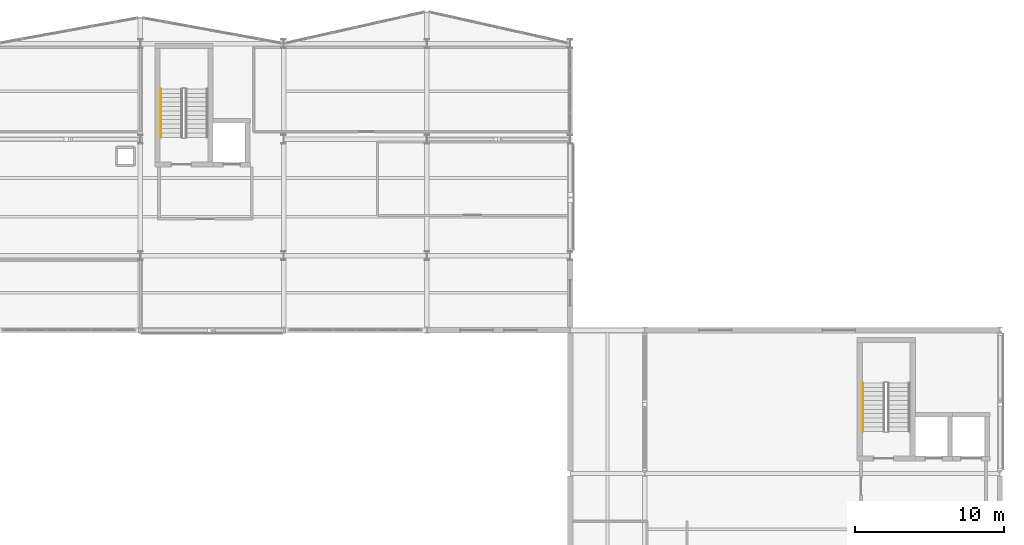
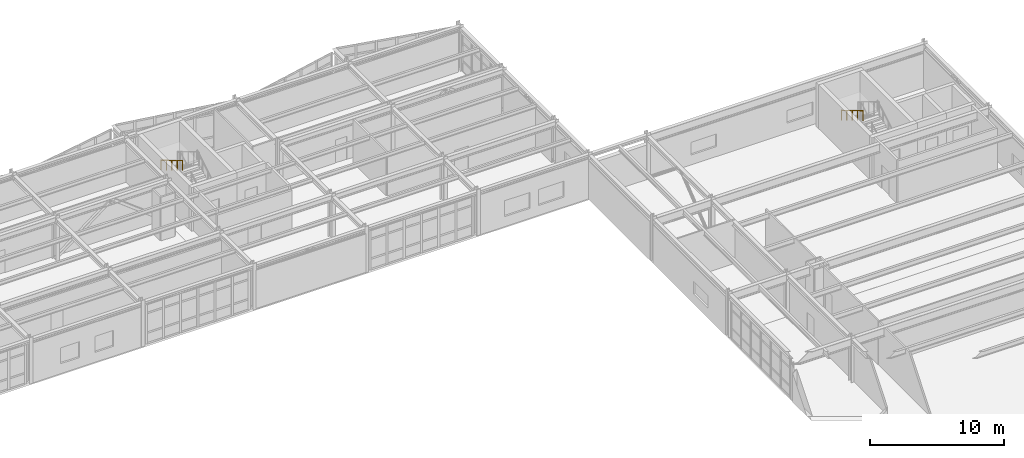
# One storey, part 96 of 99: 2 railings.
"""IFC4 building model written with IfcOpenShell, lengths in metres."""

import ifcopenshell
import ifcopenshell.guid

model = None  # the IFC model being written
_history = None  # IfcOwnerHistory: only IFC2X3 demands one
_inside = {}  # id of a spatial element -> (the spatial element, [elements in it])
_under = {}  # id of a project, library or spatial element -> (it, [spatial elements below it])
_declared = {}  # id of a project -> (the project, [libraries it declares])
_typed = {}  # id of a type object -> (the type object, [elements of that type])
_made_of = {}  # id of a material, layer set ... -> (it, [elements and type objects made of it])


def new_model(schema):
    """Start an empty IFC model of exactly this schema.

    Asked for "IFC4X3", IfcOpenShell would pick the latest addendum, in which some entities
    have other attributes; the version numbers below select the first issue.
    IFC2X3 requires an IfcOwnerHistory on every rooted entity: one is made here for all.
    """
    global model, _history
    if schema == "IFC4X3":
        model = ifcopenshell.file(schema_version=(4, 3, 0, 0))
    else:
        model = ifcopenshell.file(schema=schema)
    _inside.clear()
    _under.clear()
    _declared.clear()
    _typed.clear()
    _made_of.clear()
    _history = None
    if model.schema == "IFC2X3":
        org = make("IfcOrganization", Name="unknown")
        user = make(
            "IfcPersonAndOrganization",
            ThePerson=make("IfcPerson", FamilyName="unknown"),
            TheOrganization=org,
        )
        app = make(
            "IfcApplication",
            ApplicationDeveloper=org,
            Version="unknown",
            ApplicationFullName="unknown",
            ApplicationIdentifier="unknown",
        )
        _history = make(
            "IfcOwnerHistory",
            OwningUser=user,
            OwningApplication=app,
            ChangeAction="ADDED",
            CreationDate=0,
        )
    return model


def make(cls, **values):
    """One entity of the class cls with the attributes given. An attribute that is None is left unset."""
    return model.create_entity(
        cls, **{name: value for name, value in values.items() if value is not None}
    )


def rooted(cls, **values):
    """An entity with a GlobalId (a new one), such as an element, a storey or a relation."""
    return make(cls, GlobalId=ifcopenshell.guid.new(), OwnerHistory=_history, **values)


def si_unit(unit_type, name, prefix=None):
    """IfcSIUnit, for example si_unit("LENGTHUNIT", "METRE", prefix="MILLI")."""
    return make("IfcSIUnit", UnitType=unit_type, Prefix=prefix, Name=name)


def assignment(units):
    """IfcUnitAssignment: the units of a project."""
    return None if units is None else make("IfcUnitAssignment", Units=units)


def point(xyz):
    """IfcCartesianPoint."""
    return None if xyz is None else make("IfcCartesianPoint", Coordinates=xyz)


def direction(xyz):
    """IfcDirection."""
    return None if xyz is None else make("IfcDirection", DirectionRatios=xyz)


def frame(location, z_axis=None, x_axis=None):
    """IfcAxis2Placement3D, a coordinate frame: its origin and axes. An axis left out is left unset."""
    return make(
        "IfcAxis2Placement3D",
        Location=point(location),
        Axis=direction(z_axis),
        RefDirection=direction(x_axis),
    )


def frame_2d(location, x_axis=None):
    """IfcAxis2Placement2D, a coordinate frame in the plane: its origin and x axis."""
    return make(
        "IfcAxis2Placement2D", Location=point(location), RefDirection=direction(x_axis)
    )


def origin():
    """The frame at (0, 0, 0) with its axes left unset."""
    return frame((0.0, 0.0, 0.0))


def origin_2d():
    """The frame at (0, 0) in the plane with its x axis left unset."""
    return frame_2d((0.0, 0.0))


def place(relative_to, where):
    """IfcLocalPlacement: puts the frame where relative to a parent placement (None: the world)."""
    return make(
        "IfcLocalPlacement", PlacementRelTo=relative_to, RelativePlacement=where
    )


def context(
    kind, dimensions, precision=None, world=None, true_north=None, identifier=None
):
    """IfcGeometricRepresentationContext, for example the 3D "Model" context."""
    return make(
        "IfcGeometricRepresentationContext",
        ContextIdentifier=identifier,
        ContextType=kind,
        CoordinateSpaceDimension=dimensions,
        Precision=precision,
        WorldCoordinateSystem=world,
        TrueNorth=true_north,
    )


def subcontext(parent, identifier, kind, view, scale=None):
    """IfcGeometricRepresentationSubContext, for example "Body" below "Model"."""
    return make(
        "IfcGeometricRepresentationSubContext",
        ContextIdentifier=identifier,
        ContextType=kind,
        ParentContext=parent,
        TargetScale=scale,
        TargetView=view,
    )


def project(units=None, contexts=None):
    """IfcProject with its units and contexts."""
    return rooted(
        "IfcProject",
        Name="project",
        RepresentationContexts=contexts,
        UnitsInContext=assignment(units),
    )


def spatial(cls, under=None, at=None, **own):
    """A site, building, storey or space (cls), placed at a placement, below another one or the project."""
    s = rooted(cls, ObjectPlacement=at, **own)
    if under is not None:
        _under.setdefault(under.id(), (under, []))[1].append(s)
    return s


def profile(cls, at=None, kind="AREA", **sizes):
    """A parametric profile (cls). Its sizes go by their IFC names, for example OverallWidth=200.0."""
    return make(cls, ProfileType=kind, Position=at, **sizes)


def circle(**sizes):
    """IfcCircleProfileDef."""
    return profile("IfcCircleProfileDef", **sizes)


def extrude(swept, where, along, depth):
    """IfcExtrudedAreaSolid: the profile swept, set in the frame where, extruded along a direction by depth."""
    return make(
        "IfcExtrudedAreaSolid",
        SweptArea=swept,
        Position=where,
        ExtrudedDirection=direction(along),
        Depth=depth,
    )


def shape(context_of_items, identifier, shape_type, items):
    """IfcShapeRepresentation: the items that make up one representation, for example the "Body"."""
    return make(
        "IfcShapeRepresentation",
        ContextOfItems=context_of_items,
        RepresentationIdentifier=identifier,
        RepresentationType=shape_type,
        Items=items,
    )


def material(Name=None, Category=None):
    """IfcMaterial."""
    return make("IfcMaterial", Name=Name, Category=Category)


def layer(
    of_material, thickness, ventilated=None, Name=None, Category=None, Priority=None
):
    """IfcMaterialLayer: one layer of a wall or slab, of a material (None: an air gap)."""
    return make(
        "IfcMaterialLayer",
        Material=of_material,
        LayerThickness=thickness,
        IsVentilated=ventilated,
        Name=Name,
        Category=Category,
        Priority=Priority,
    )


def layer_set(layers, Name=None):
    """IfcMaterialLayerSet."""
    return make("IfcMaterialLayerSet", MaterialLayers=layers, LayerSetName=Name)


def made_of(thing, what):
    """Note that an element or type object is made of a material, layer set ...; save() writes the relation."""
    if what is not None:
        _made_of.setdefault(what.id(), (what, []))[1].append(thing)
    return thing


def type_object(cls, material=None, **own):
    """A type object (cls), such as IfcWallType, which elements share."""
    return made_of(rooted(cls, **own), material)


def element(
    cls,
    number,
    at=None,
    inside=None,
    cuts=None,
    type_object=None,
    material=None,
    context=None,
    identifier="Body",
    shape_type=None,
    held_by="IfcProductDefinitionShape",
    body=None,
    shapes=None,
    **own,
):
    """One element of the class cls, such as IfcWall. Its Tag is "e" and its number.

    at: its placement. inside: the storey or other place that contains it. cuts: it is an
    opening in that element (IfcRelVoidsElement). A single representation is given by context,
    identifier, shape_type and body (its items); several are given by shapes. held_by: the class
    of the entity that holds the representations. save() writes the other relations.
    """
    e = rooted(cls, Tag="e%d" % number, ObjectPlacement=at, **own)
    if body is not None:
        shapes = [shape(context, identifier, shape_type, body)]
    if shapes is not None:
        e.Representation = make(held_by, Representations=shapes)
    if inside is not None:
        _inside.setdefault(inside.id(), (inside, []))[1].append(e)
    if cuts is not None:
        rooted(
            "IfcRelVoidsElement", RelatingBuildingElement=cuts, RelatedOpeningElement=e
        )
    if type_object is not None:
        _typed.setdefault(type_object.id(), (type_object, []))[1].append(e)
    return made_of(e, material)


def aggregate(whole, parts):
    """IfcRelAggregates: a whole, such as a stair, and the parts it consists of."""
    return rooted("IfcRelAggregates", RelatingObject=whole, RelatedObjects=parts)


def save(model, path):
    """Write the relations noted so far, then the file.

    IfcRelAggregates (storeys below a building ...), IfcRelContainedInSpatialStructure (elements
    in a storey), IfcRelDefinesByType, IfcRelAssociatesMaterial and IfcRelDeclares: one each for
    every whole, place, type object, material and project.
    """
    for whole, parts in _under.values():
        aggregate(whole, parts)
    for where, things in _inside.values():
        rooted(
            "IfcRelContainedInSpatialStructure",
            RelatedElements=things,
            RelatingStructure=where,
        )
    for kind, things in _typed.values():
        rooted("IfcRelDefinesByType", RelatedObjects=things, RelatingType=kind)
    for what, things in _made_of.values():
        rooted("IfcRelAssociatesMaterial", RelatedObjects=things, RelatingMaterial=what)
    for by, libraries in _declared.values():
        rooted("IfcRelDeclares", RelatingContext=by, RelatedDefinitions=libraries)
    model.write(path)


model = new_model("IFC4")

# Units and contexts
model_context = context("Model", 3, precision=1e-05, world=origin(), true_north=direction((0.0, 1.0)))
body_context = subcontext(model_context, "Body", "Model", "MODEL_VIEW")
ifc_project = project(units=[si_unit("LENGTHUNIT", "METRE"), si_unit("AREAUNIT", "SQUARE_METRE"), si_unit("VOLUMEUNIT", "CUBIC_METRE"), si_unit("PLANEANGLEUNIT", "RADIAN"), si_unit("MASSUNIT", "GRAM", prefix="KILO")], contexts=[model_context])

# Site, building, storey
site_placement = place(None, origin())
site = spatial("IfcSite", under=ifc_project, at=site_placement, CompositionType="ELEMENT")
building_placement = place(site_placement, origin())
building = spatial("IfcBuilding", under=site, at=building_placement, Name="Nordkorset Police Headquarters", CompositionType="ELEMENT")
storey_placement = place(building_placement, frame((0.0, 0.0, 5.25)))
storey = spatial("IfcBuildingStorey", under=building, at=storey_placement, Name="L01", CompositionType="ELEMENT", Elevation=5.25)

# Railings
ifc_material = material(Name="Steel S355J2", Category="steel")
ifc_layer = layer(ifc_material, 0.048095703125, Name="Steel S355J2")
ifc_layer_set = layer_set([ifc_layer], Name="Steel S355J2")
railing_type = type_object("IfcRailingType", Name="Railing_Handrail_900", PredefinedType="HANDRAIL", material=ifc_layer_set)
for number, where, name in (
    (1, (58.97509765625, 113.77001953125, 2.27490234375), "L01 ST-02 stair handrail 2"),
    (2, (106.02490234375, 94.070068359375, 2.27490234375), "L01 ST-05 stair handrail 2"),
):
    element("IfcRailing", number, at=place(storey_placement, frame(where)), inside=storey, type_object=railing_type, Name=name, PredefinedType="HANDRAIL", context=body_context, shape_type="SweptSolid", body=[
        extrude(circle(Radius=0.02392578125, at=origin_2d()), frame((0.0, 0.0, 0.8759765625), z_axis=(0.0, -0.860057060016, 0.510197857224), x_axis=(1.0, 0.0, 0.0)), (0.0, 0.0, 1.0), 3.773193359375),
        extrude(circle(Radius=0.02099609375, at=origin_2d()), origin(), (0.0, 0.0, 1.0), 0.851806640625),
        extrude(circle(Radius=0.02099609375, at=origin_2d()), frame((0.0, -0.811279296875, 0.481201171875)), (0.0, 0.0, 1.0), 0.851806640625),
        extrude(circle(Radius=0.02099609375, at=origin_2d()), frame((0.0, -1.62255859375, 0.96240234375)), (0.0, 0.0, 1.0), 0.851806640625),
        extrude(circle(Radius=0.02099609375, at=origin_2d()), frame((0.0, -2.433837890625, 1.44384765625)), (0.0, 0.0, 1.0), 0.851806640625),
        extrude(circle(Radius=0.02099609375, at=origin_2d()), frame((0.0, -3.2451171875, 1.925048828125)), (0.0, 0.0, 1.0), 0.851806640625),
    ])

save(model, "model.ifc")
